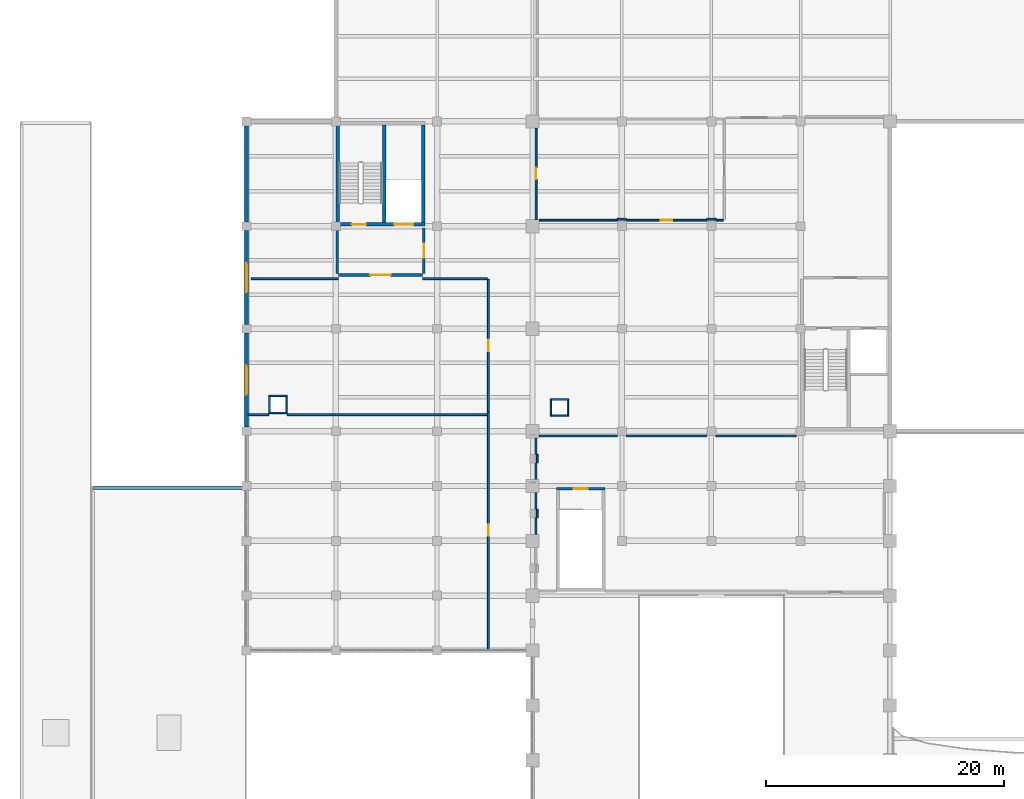
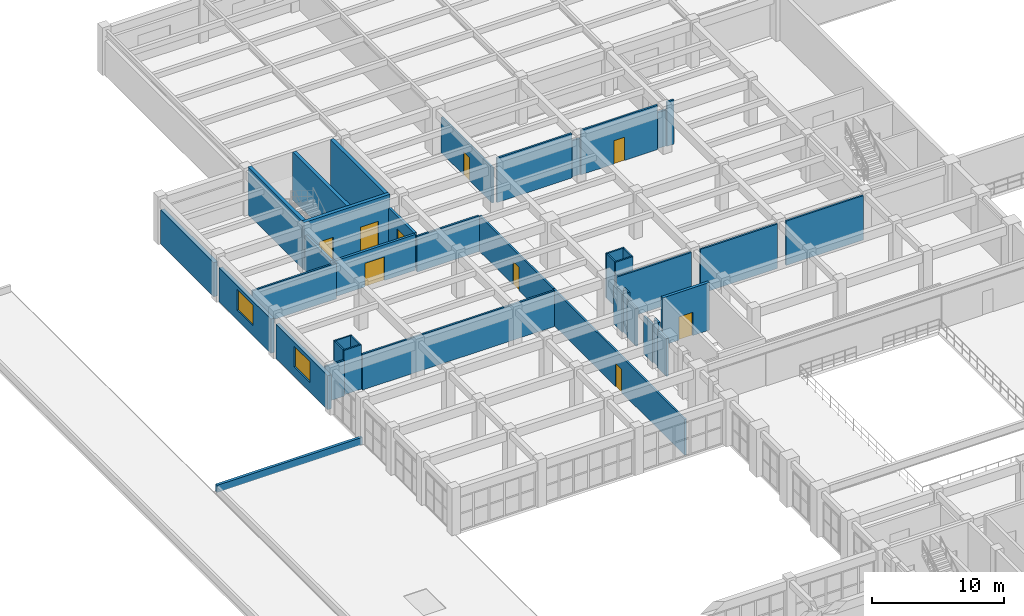
# One storey, part 72 of 90: 41 walls, 9 doors, 2 windows, 11 openings.
"""IFC4 building model written with IfcOpenShell, lengths in metres."""

from ifc_helpers import new_model, si_unit, direction, frame, frame_2d, origin, place, context, subcontext, project, spatial, rectangle, extrude, material, layer, layer_set, type_object, element, fill, save


model = new_model("IFC4")

# Units and contexts
model_context = context("Model", 3, precision=1e-05, world=origin(), true_north=direction((0.0, 1.0)))
body_context = subcontext(model_context, "Body", "Model", "MODEL_VIEW")
ifc_project = project(units=[si_unit("LENGTHUNIT", "METRE"), si_unit("AREAUNIT", "SQUARE_METRE"), si_unit("VOLUMEUNIT", "CUBIC_METRE"), si_unit("PLANEANGLEUNIT", "RADIAN"), si_unit("MASSUNIT", "GRAM", prefix="KILO")], contexts=[model_context])

# Site, building, storey
site_placement = place(None, origin())
site = spatial("IfcSite", under=ifc_project, at=site_placement, CompositionType="ELEMENT")
building_placement = place(site_placement, origin())
building = spatial("IfcBuilding", under=site, at=building_placement, Name="Muzn Square Opera House", CompositionType="ELEMENT")
storey_placement = place(building_placement, frame((0.0, 0.0, 9.800048828125)))
storey = spatial("IfcBuildingStorey", under=building, at=storey_placement, Name="L02", CompositionType="ELEMENT", Elevation=9.800048828125)

# Wall, opening, door
ifc_material_1 = material(Name="Concrete C45/55", Category="concrete")
ifc_layer_1 = layer(ifc_material_1, 0.25, Name="Concrete C45/55", Category="concrete")
ifc_layer_set_1 = layer_set([ifc_layer_1], Name="Concrete C45/55")
wall_type_1 = type_object("IfcWallType", Name="Aux Stair Enclosure Wall 250mm", PredefinedType="SHEAR", material=ifc_layer_set_1)
wall_1_placement = place(storey_placement, frame((45.0, 67.77490234375, 0.0), z_axis=(0.0, 0.0, 1.0), x_axis=(1.0, 0.0, 0.0)))
wall_1 = element("IfcWall", 1, at=wall_1_placement, inside=storey, type_object=wall_type_1, Name="Escape Stair ST-9 Wall N L02", PredefinedType="SHEAR", context=body_context, shape_type="SweptSolid", body=[
    extrude(rectangle(XDim=4.10009765625, YDim=0.25, at=frame_2d((2.050048828125, 0.0))), origin(), (0.0, 0.0, 1.0), 4.39990234375),
])
opening_1_placement = place(wall_1_placement, frame((1.449951171875, 0.0, 0.0)))
opening_1 = element("IfcOpeningElement", 2, at=opening_1_placement, cuts=wall_1, Name="Opening DR-ST12", PredefinedType="OPENING", context=body_context, shape_type="SweptSolid", body=[
    extrude(rectangle(XDim=1.199951171875, YDim=2.14990234375, at=frame_2d((0.60009765625, 1.074951171875))), frame((0.0, 0.135009765625, 0.0), z_axis=(0.0, -1.0, 0.0), x_axis=(1.0, 0.0, 0.0)), (0.0, 0.0, 1.0), 0.27001953125),
])
ifc_material_2 = material(Name="Galvanised painted steel leaf", Category="metal")
door_type_1 = type_object("IfcDoorType", Name="Core Stair Fire Door 1200x2150", OperationType="NOTDEFINED", PredefinedType="DOOR", material=ifc_material_2)
door_1_placement = place(opening_1_placement, origin())
door_1 = element("IfcDoor", 3, at=door_1_placement, inside=storey, type_object=door_type_1, Name="Escape Stair ST-9 Door L02", OperationType="SINGLE_SWING_RIGHT", OverallHeight=2.14990234375, OverallWidth=1.199951171875, PredefinedType="DOOR", context=body_context, shape_type="SweptSolid", body=[
    extrude(rectangle(XDim=1.199951171875, YDim=2.14990234375, at=frame_2d((0.60009765625, 1.074951171875))), frame((0.0, 0.02490234375, 0.0), z_axis=(0.0, -1.0, 0.0), x_axis=(1.0, 0.0, 0.0)), (0.0, 0.0, 1.0), 0.050048828125),
])
fill(opening_1, door_1)

# Walls
ifc_layer_2 = layer(ifc_material_1, 0.300048828125, Name="Concrete C45/55", Category="concrete")
ifc_layer_set_2 = layer_set([ifc_layer_2], Name="Concrete C45/55")
wall_type_2 = type_object("IfcWallType", Name="Core Shear Wall 300mm", PredefinedType="SHEAR", material=ifc_layer_set_2)
for number, where, z_axis, x_axis, name in (
    (4, (26.64990234375, 90.10009765625, 0.0), (0.0, 0.0, 1.0), (0.0, 1.0, 0.0), "Core C6 Shear Wall SW-C6-L02-W"),
    (5, (33.85009765625, 90.10009765625, 0.0), (0.0, 0.0, 1.0), (0.0, 1.0, 0.0), "Core C6 Shear Wall SW-C6-L02-E"),
    (6, (30.550048828125, 90.10009765625, 0.0), (0.0, 0.0, 1.0), (0.0, 1.0, 0.0), "Core C6 Shear Wall SW-C6-L02-DIV"),
):
    element("IfcWall", number, at=place(storey_placement, frame(where, z_axis=z_axis, x_axis=x_axis)), inside=storey, type_object=wall_type_2, Name=name, PredefinedType="SHEAR", context=body_context, shape_type="SweptSolid", body=[
        extrude(rectangle(XDim=8.199951171875, YDim=0.300048828125, at=frame_2d((4.10009765625, 0.0))), origin(), (0.0, 0.0, 1.0), 4.39990234375),
    ])

# Wall, openings, doors
wall_2_placement = place(storey_placement, frame((26.5, 89.949951171875, 0.0), z_axis=(0.0, 0.0, 1.0), x_axis=(1.0, 0.0, 0.0)))
wall_2 = element("IfcWall", 7, at=wall_2_placement, inside=storey, type_object=wall_type_2, Name="Core C6 Front Shear Wall L02", PredefinedType="SHEAR", context=body_context, shape_type="SweptSolid", body=[
    extrude(rectangle(XDim=7.5, YDim=0.300048828125, at=frame_2d((3.75, 0.0))), origin(), (0.0, 0.0, 1.0), 4.39990234375),
])
opening_2_placement = place(wall_2_placement, frame((2.550048828125, 0.0, 0.0), z_axis=(0.0, 0.0, 1.0), x_axis=(-1.0, 0.0, 0.0)))
opening_2 = element("IfcOpeningElement", 8, at=opening_2_placement, cuts=wall_2, Name="Opening DR-ST12", PredefinedType="OPENING", context=body_context, shape_type="SweptSolid", body=[
    extrude(rectangle(XDim=1.199951171875, YDim=2.14990234375, at=frame_2d((0.60009765625, 1.074951171875))), frame((0.0, 0.159912109375, 0.0), z_axis=(0.0, -1.0, 0.0), x_axis=(1.0, 0.0, 0.0)), (0.0, 0.0, 1.0), 0.320068359375),
])
opening_3_placement = place(wall_2_placement, frame((4.89990234375, 0.0, 0.0)))
opening_3 = element("IfcOpeningElement", 9, at=opening_3_placement, cuts=wall_2, Name="Opening LD-02", PredefinedType="OPENING", context=body_context, shape_type="SweptSolid", body=[
    extrude(rectangle(XDim=1.60009765625, YDim=2.25, at=frame_2d((0.800048828125, 1.125))), frame((0.0, 0.159912109375, 0.0), z_axis=(0.0, -1.0, 0.0), x_axis=(1.0, 0.0, 0.0)), (0.0, 0.0, 1.0), 0.320068359375),
])
door_2_placement = place(opening_2_placement, origin())
door_2 = element("IfcDoor", 10, at=door_2_placement, inside=storey, type_object=door_type_1, Name="Core C6 Stair Door L02", OperationType="SINGLE_SWING_RIGHT", OverallHeight=2.14990234375, OverallWidth=1.199951171875, PredefinedType="DOOR", context=body_context, shape_type="SweptSolid", body=[
    extrude(rectangle(XDim=1.199951171875, YDim=2.14990234375, at=frame_2d((0.60009765625, 1.074951171875))), frame((0.0, 0.02490234375, 0.0), z_axis=(0.0, -1.0, 0.0), x_axis=(1.0, 0.0, 0.0)), (0.0, 0.0, 1.0), 0.050048828125),
])
fill(opening_2, door_2)
ifc_material_3 = material(Name="Brushed stainless steel", Category="metal")
door_type_2 = type_object("IfcDoorType", Name="Goods Lift Sliding Door 1600x2250", OperationType="SLIDING_TO_LEFT", PredefinedType="DOOR", material=ifc_material_3)
door_3_placement = place(opening_3_placement, origin())
door_3 = element("IfcDoor", 11, at=door_3_placement, inside=storey, type_object=door_type_2, Name="Lift GL-1 Sliding Landing Door L02", OperationType="SLIDING_TO_LEFT", OverallHeight=2.25, OverallWidth=1.60009765625, PredefinedType="DOOR", context=body_context, shape_type="SweptSolid", body=[
    extrude(rectangle(XDim=1.60009765625, YDim=2.25, at=frame_2d((0.800048828125, 1.125))), frame((0.0, 0.02490234375, 0.0), z_axis=(0.0, -1.0, 0.0), x_axis=(1.0, 0.0, 0.0)), (0.0, 0.0, 1.0), 0.050048828125),
])
fill(opening_3, door_3)

# Wall, opening, window
ifc_material_4 = material(Name="Concrete C40/50", Category="concrete")
ifc_layer_3 = layer(ifc_material_4, 0.31005859375, Name="Concrete C40/50", Category="concrete")
ifc_layer_set_3 = layer_set([ifc_layer_3], Name="Concrete C40/50")
wall_type_3 = type_object("IfcWallType", Name="Exterior Gallery Facade Wall 310mm", PredefinedType="SOLIDWALL", material=ifc_layer_set_3)
wall_3_placement = place(storey_placement, frame((19.0, 72.97509765625, 0.0), z_axis=(0.0, 0.0, 1.0), x_axis=(0.0, 1.0, 0.0)))
wall_3 = element("IfcWall", 12, at=wall_3_placement, inside=storey, type_object=wall_type_3, Name="Exterior Facade Wall EW-L02-081", PredefinedType="SOLIDWALL", context=body_context, shape_type="SweptSolid", body=[
    extrude(rectangle(XDim=7.849853515625, YDim=0.31005859375, at=frame_2d((3.9248046875, 0.0))), origin(), (0.0, 0.0, 1.0), 3.14990234375),
])
opening_4_placement = place(wall_3_placement, frame((2.705078125, 0.0, 0.89990234375)))
opening_4 = element("IfcOpeningElement", 13, at=opening_4_placement, cuts=wall_3, Name="Opening WN-W2419", PredefinedType="OPENING", context=body_context, shape_type="SweptSolid", body=[
    extrude(rectangle(XDim=2.39990234375, YDim=1.89990234375, at=frame_2d((1.199951171875, 0.949951171875))), frame((0.0, 0.1650390625, 0.0), z_axis=(0.0, -1.0, 0.0), x_axis=(1.0, 0.0, 0.0)), (0.0, 0.0, 1.0), 0.330078125),
])
ifc_material_5 = material(Name="Low-E laminated acoustic double glazing", Category="glass")
window_type = type_object("IfcWindowType", Name="Costume Workshop Window 2400x1900", PartitioningType="DOUBLE_PANEL_VERTICAL", PredefinedType="WINDOW", material=ifc_material_5)
window_1_placement = place(opening_4_placement, origin())
window_1 = element("IfcWindow", 14, at=window_1_placement, inside=storey, type_object=window_type, Name="Costume Workshop Window 2400x1900 EW-L02-081-WN01", OverallHeight=1.89990234375, OverallWidth=2.39990234375, PartitioningType="SINGLE_PANEL", PredefinedType="WINDOW", context=body_context, shape_type="SweptSolid", body=[
    extrude(rectangle(XDim=2.39990234375, YDim=1.89990234375, at=frame_2d((1.199951171875, 0.949951171875))), frame((0.0, 0.030029296875, 0.0), z_axis=(0.0, -1.0, 0.0), x_axis=(1.0, 0.0, 0.0)), (0.0, 0.0, 1.0), 0.06005859375),
])
fill(opening_4, window_1)

wall_4_placement = place(storey_placement, frame((19.0, 81.574951171875, 0.0), z_axis=(0.0, 0.0, 1.0), x_axis=(0.0, 1.0, 0.0)))
wall_4 = element("IfcWall", 15, at=wall_4_placement, inside=storey, type_object=wall_type_3, Name="Exterior Facade Wall EW-L02-082", PredefinedType="SOLIDWALL", context=body_context, shape_type="SweptSolid", body=[
    extrude(rectangle(XDim=7.85009765625, YDim=0.31005859375, at=frame_2d((3.925048828125, 0.0))), origin(), (0.0, 0.0, 1.0), 3.14990234375),
])
opening_5_placement = place(wall_4_placement, frame((2.705078125, 0.0, 0.89990234375)))
opening_5 = element("IfcOpeningElement", 16, at=opening_5_placement, cuts=wall_4, Name="Opening WN-W2419", PredefinedType="OPENING", context=body_context, shape_type="SweptSolid", body=[
    extrude(rectangle(XDim=2.39990234375, YDim=1.89990234375, at=frame_2d((1.199951171875, 0.949951171875))), frame((0.0, 0.1650390625, 0.0), z_axis=(0.0, -1.0, 0.0), x_axis=(1.0, 0.0, 0.0)), (0.0, 0.0, 1.0), 0.330078125),
])
window_2_placement = place(opening_5_placement, origin())
window_2 = element("IfcWindow", 17, at=window_2_placement, inside=storey, type_object=window_type, Name="Costume Workshop Window 2400x1900 EW-L02-082-WN01", OverallHeight=1.89990234375, OverallWidth=2.39990234375, PartitioningType="SINGLE_PANEL", PredefinedType="WINDOW", context=body_context, shape_type="SweptSolid", body=[
    extrude(rectangle(XDim=2.39990234375, YDim=1.89990234375, at=frame_2d((1.199951171875, 0.949951171875))), frame((0.0, 0.030029296875, 0.0), z_axis=(0.0, -1.0, 0.0), x_axis=(1.0, 0.0, 0.0)), (0.0, 0.0, 1.0), 0.06005859375),
])
fill(opening_5, window_2)

# Wall
ifc_layer_4 = layer(ifc_material_4, 0.340087890625, Name="Concrete C40/50", Category="concrete")
ifc_layer_set_4 = layer_set([ifc_layer_4], Name="Concrete C40/50")
wall_type_4 = type_object("IfcWallType", Name="Exterior Insulated Spandrel Wall 340mm", PredefinedType="SOLIDWALL", material=ifc_layer_set_4)
wall_5_placement = place(storey_placement, frame((19.0, 90.175048828125, 0.0), z_axis=(0.0, 0.0, 1.0), x_axis=(0.0, 1.0, 0.0)))
element("IfcWall", 18, at=wall_5_placement, inside=storey, type_object=wall_type_4, Name="Exterior Facade Wall EW-L02-185", PredefinedType="SOLIDWALL", context=body_context, shape_type="SweptSolid", body=[
    extrude(rectangle(XDim=8.050048828125, YDim=0.340087890625, at=frame_2d((4.02490234375, 0.0))), origin(), (0.0, 0.0, 1.0), 3.14990234375),
])

# Wall, opening, door
ifc_layer_5 = layer(ifc_material_4, 0.219970703125, Name="Concrete C40/50", Category="concrete")
ifc_layer_set_5 = layer_set([ifc_layer_5], Name="Concrete C40/50")
wall_type_5 = type_object("IfcWallType", Name="Lift Lobby Wall 220mm", PredefinedType="SOLIDWALL", material=ifc_layer_set_5)
wall_6_placement = place(storey_placement, frame((26.719970703125, 85.7099609375, 0.0), z_axis=(0.0, 0.0, 1.0), x_axis=(1.0, 0.0, 0.0)))
wall_6 = element("IfcWall", 19, at=wall_6_placement, inside=storey, type_object=wall_type_5, Name="Lobby C6 Enclosure Wall L02", PredefinedType="SOLIDWALL", context=body_context, shape_type="SweptSolid", body=[
    extrude(rectangle(XDim=7.06005859375, YDim=0.219970703125, at=frame_2d((3.530029296875, 0.0))), origin(), (0.0, 0.0, 1.0), 3.300048828125),
])
opening_6_placement = place(wall_6_placement, frame((4.3798828125, 0.0, 0.0), z_axis=(0.0, 0.0, 1.0), x_axis=(-1.0, 0.0, 0.0)))
opening_6 = element("IfcOpeningElement", 20, at=opening_6_placement, cuts=wall_6, Name="Opening DR-LL17", PredefinedType="OPENING", context=body_context, shape_type="SweptSolid", body=[
    extrude(rectangle(XDim=1.699951171875, YDim=2.179931640625, at=frame_2d((0.85009765625, 1.08984375))), frame((0.0, 0.119873046875, 0.0), z_axis=(0.0, -1.0, 0.0), x_axis=(1.0, 0.0, 0.0)), (0.0, 0.0, 1.0), 0.239990234375),
])
ifc_material_6 = material(Name="Acoustic hardwood leaf", Category="wood")
door_type_3 = type_object("IfcDoorType", Name="Lift Lobby Double Door 1700x2180", OperationType="DOUBLE_DOOR_SINGLE_SWING", PredefinedType="DOOR", material=ifc_material_6)
door_4_placement = place(opening_6_placement, origin())
door_4 = element("IfcDoor", 21, at=door_4_placement, inside=storey, type_object=door_type_3, Name="Lobby C6 Fire Door L02", OperationType="DOUBLE_DOOR_SINGLE_SWING", OverallHeight=2.179931640625, OverallWidth=1.699951171875, PredefinedType="DOOR", context=body_context, shape_type="SweptSolid", body=[
    extrude(rectangle(XDim=1.699951171875, YDim=2.179931640625, at=frame_2d((0.85009765625, 1.08984375))), frame((0.0, 0.02490234375, 0.0), z_axis=(0.0, -1.0, 0.0), x_axis=(1.0, 0.0, 0.0)), (0.0, 0.0, 1.0), 0.050048828125),
])
fill(opening_6, door_4)

# Wall
wall_7_placement = place(storey_placement, frame((26.610107421875, 85.820068359375, 0.0), z_axis=(0.0, 0.0, 1.0), x_axis=(0.0, 1.0, 0.0)))
element("IfcWall", 22, at=wall_7_placement, inside=storey, type_object=wall_type_5, Name="Lobby C6 Side Wall W L02", PredefinedType="SOLIDWALL", context=body_context, shape_type="SweptSolid", body=[
    extrude(rectangle(XDim=3.829833984375, YDim=0.219970703125, at=frame_2d((1.9150390625, 0.0))), origin(), (0.0, 0.0, 1.0), 3.300048828125),
])

# Wall, opening, door
wall_8_placement = place(storey_placement, frame((33.889892578125, 85.820068359375, 0.0), z_axis=(0.0, 0.0, 1.0), x_axis=(0.0, 1.0, 0.0)))
wall_8 = element("IfcWall", 23, at=wall_8_placement, inside=storey, type_object=wall_type_5, Name="Lobby C6 Side Wall E L02", PredefinedType="SOLIDWALL", context=body_context, shape_type="SweptSolid", body=[
    extrude(rectangle(XDim=3.829833984375, YDim=0.219970703125, at=frame_2d((1.9150390625, 0.0))), origin(), (0.0, 0.0, 1.0), 3.300048828125),
])
opening_7_placement = place(wall_8_placement, frame((2.514892578125, 0.0, 0.0), z_axis=(0.0, 0.0, 1.0), x_axis=(-1.0, 0.0, 0.0)))
opening_7 = element("IfcOpeningElement", 24, at=opening_7_placement, cuts=wall_8, Name="Opening DR-ST12", PredefinedType="OPENING", context=body_context, shape_type="SweptSolid", body=[
    extrude(rectangle(XDim=1.199951171875, YDim=2.14990234375, at=frame_2d((0.60009765625, 1.074951171875))), frame((0.0, 0.119873046875, 0.0), z_axis=(0.0, -1.0, 0.0), x_axis=(1.0, 0.0, 0.0)), (0.0, 0.0, 1.0), 0.239990234375),
])
door_5_placement = place(opening_7_placement, origin())
door_5 = element("IfcDoor", 25, at=door_5_placement, inside=storey, type_object=door_type_1, Name="Lobby C6 Side Door E L02", OperationType="SINGLE_SWING_LEFT", OverallHeight=2.14990234375, OverallWidth=1.199951171875, PredefinedType="DOOR", context=body_context, shape_type="SweptSolid", body=[
    extrude(rectangle(XDim=1.199951171875, YDim=2.14990234375, at=frame_2d((0.60009765625, 1.074951171875))), frame((0.0, 0.02490234375, 0.0), z_axis=(0.0, -1.0, 0.0), x_axis=(1.0, 0.0, 0.0)), (0.0, 0.0, 1.0), 0.050048828125),
])
fill(opening_7, door_5)

# Walls
ifc_material_7 = material(Name="Acoustic gypsum stud partition", Category="gypsum")
ifc_layer_6 = layer(ifc_material_7, 0.14990234375, Name="Acoustic gypsum stud partition", Category="gypsum")
ifc_layer_set_6 = layer_set([ifc_layer_6], Name="Acoustic gypsum stud partition")
wall_type_6 = type_object("IfcWallType", Name="Office Acoustic Partition 150mm", PredefinedType="PARTITIONING", material=ifc_layer_set_6)
for number, where, z_axis, x_axis, name in (
    (26, (43.300048828125, 66.070068359375, 0.0), (0.0, 0.0, 1.0), (0.0, 1.0, 0.0), "Interior Partition PW-L02-0250"),
    (27, (43.300048828125, 68.570068359375, 0.0), (0.0, 0.0, 1.0), (0.0, 1.0, 0.0), "Interior Partition PW-L02-0251"),
):
    element("IfcWall", number, at=place(storey_placement, frame(where, z_axis=z_axis, x_axis=x_axis)), inside=storey, type_object=wall_type_6, Name=name, PredefinedType="PARTITIONING", context=body_context, shape_type="SweptSolid", body=[
        extrude(rectangle(XDim=1.35986328125, YDim=0.14990234375, at=frame_2d((0.679931640625, 0.0))), origin(), (0.0, 0.0, 1.0), 3.5),
    ])
for number, where, z_axis, x_axis, name in (
    (28, (43.300048828125, 63.969970703125, 0.0), (0.0, 0.0, 1.0), (0.0, 1.0, 0.0), "Interior Partition PW-L02-0254"),
    (29, (43.300048828125, 70.669921875, 0.0), (0.0, 0.0, 1.0), (0.0, 1.0, 0.0), "Interior Partition PW-L02-0255"),
):
    element("IfcWall", number, at=place(storey_placement, frame(where, z_axis=z_axis, x_axis=x_axis)), inside=storey, type_object=wall_type_6, Name=name, PredefinedType="PARTITIONING", context=body_context, shape_type="SweptSolid", body=[
        extrude(rectangle(XDim=1.360107421875, YDim=0.14990234375, at=frame_2d((0.68017578125, 0.0))), origin(), (0.0, 0.0, 1.0), 3.5),
    ])
wall_9_placement = place(storey_placement, frame((43.570068359375, 72.199951171875, 0.0), z_axis=(0.0, 0.0, 1.0), x_axis=(1.0, 0.0, 0.0)))
element("IfcWall", 30, at=wall_9_placement, inside=storey, type_object=wall_type_6, Name="Room Enclosure Partition PW-L02-0298", PredefinedType="PARTITIONING", context=body_context, shape_type="SweptSolid", body=[
    extrude(rectangle(XDim=6.550048828125, YDim=0.14990234375, at=frame_2d((3.27490234375, 0.0))), origin(), (0.0, 0.0, 1.0), 4.099853515625),
])
for number, where, z_axis, x_axis, name in (
    (31, (50.8798828125, 72.199951171875, 0.0), (0.0, 0.0, 1.0), (1.0, 0.0, 0.0), "Room Enclosure Partition PW-L02-0299"),
    (32, (58.3798828125, 72.199951171875, 0.0), (0.0, 0.0, 1.0), (1.0, 0.0, 0.0), "Room Enclosure Partition PW-L02-0300"),
):
    element("IfcWall", number, at=place(storey_placement, frame(where, z_axis=z_axis, x_axis=x_axis)), inside=storey, type_object=wall_type_6, Name=name, PredefinedType="PARTITIONING", context=body_context, shape_type="SweptSolid", body=[
        extrude(rectangle(XDim=6.740234375, YDim=0.14990234375, at=frame_2d((3.3701171875, 0.0))), origin(), (0.0, 0.0, 1.0), 4.099853515625),
    ])
for number, where, z_axis, x_axis, name in (
    (33, (43.39990234375, 65.35009765625, 0.0), (0.0, 0.0, 1.0), (0.0, 1.0, 0.0), "Room Enclosure Partition PW-L02-0302"),
    (34, (43.39990234375, 69.949951171875, 0.0), (0.0, 0.0, 1.0), (0.0, 1.0, 0.0), "Room Enclosure Partition PW-L02-0303"),
):
    element("IfcWall", number, at=place(storey_placement, frame(where, z_axis=z_axis, x_axis=x_axis)), inside=storey, type_object=wall_type_6, Name=name, PredefinedType="PARTITIONING", context=body_context, shape_type="SweptSolid", body=[
        extrude(rectangle(XDim=0.699951171875, YDim=0.14990234375, at=frame_2d((0.35009765625, 0.0))), origin(), (0.0, 0.0, 1.0), 4.099853515625),
    ])
ifc_material_8 = material(Name="Precast concrete C40/50", Category="concrete")
ifc_layer_7 = layer(ifc_material_8, 0.239990234375, Name="Precast concrete C40/50", Category="concrete")
ifc_layer_set_7 = layer_set([ifc_layer_7], Name="Precast concrete C40/50")
wall_type_7 = type_object("IfcWallType", Name="Roof Parapet Wall 240mm", PredefinedType="PARAPET", material=ifc_layer_set_7)
wall_10_placement = place(storey_placement, frame((6.14990234375, 67.85009765625, 0.0), z_axis=(0.0, 0.0, 1.0), x_axis=(1.0, 0.0, 0.0)))
element("IfcWall", 35, at=wall_10_placement, inside=storey, type_object=wall_type_7, Name="Roof Parapet ROOF-L02-WOUTER-N", PredefinedType="PARAPET", context=body_context, shape_type="SweptSolid", body=[
    extrude(rectangle(XDim=12.7001953125, YDim=0.239990234375, at=frame_2d((6.35009765625, 0.0))), origin(), (0.0, 0.0, 1.0), 0.64990234375),
])
ifc_layer_8 = layer(ifc_material_7, 0.1298828125, Name="Acoustic gypsum stud partition", Category="gypsum")
ifc_layer_set_8 = layer_set([ifc_layer_8], Name="Acoustic gypsum stud partition")
wall_type_8 = type_object("IfcWallType", Name="Service Closet Partition 130mm", PredefinedType="PARTITIONING", material=ifc_layer_set_8)
for number, where, z_axis, x_axis, name in (
    (36, (44.469970703125, 73.93505859375, 0.0), (0.0, 0.0, 1.0), (1.0, 0.0, 0.0), "MEP Riser Shaft Wall RSR-SW L02-S"),
    (37, (44.469970703125, 75.264892578125, 0.0), (0.0, 0.0, 1.0), (1.0, 0.0, 0.0), "MEP Riser Shaft Wall RSR-SW L02-N"),
):
    element("IfcWall", number, at=place(storey_placement, frame(where, z_axis=z_axis, x_axis=x_axis)), inside=storey, type_object=wall_type_8, Name=name, PredefinedType="PARTITIONING", context=body_context, shape_type="SweptSolid", body=[
        extrude(rectangle(XDim=1.56005859375, YDim=0.1298828125, at=frame_2d((0.780029296875, 0.0))), origin(), (0.0, 0.0, 1.0), 4.099853515625),
    ])
for number, where, z_axis, x_axis, name in (
    (38, (44.534912109375, 74.0, 0.0), (0.0, 0.0, 1.0), (0.0, 1.0, 0.0), "MEP Riser Shaft Wall RSR-SW L02-W"),
    (39, (45.965087890625, 74.0, 0.0), (0.0, 0.0, 1.0), (0.0, 1.0, 0.0), "MEP Riser Shaft Wall RSR-SW L02-E"),
):
    element("IfcWall", number, at=place(storey_placement, frame(where, z_axis=z_axis, x_axis=x_axis)), inside=storey, type_object=wall_type_8, Name=name, PredefinedType="PARTITIONING", context=body_context, shape_type="SweptSolid", body=[
        extrude(rectangle(XDim=1.199951171875, YDim=0.1298828125, at=frame_2d((0.60009765625, 0.0))), origin(), (0.0, 0.0, 1.0), 4.099853515625),
    ])
wall_11_placement = place(storey_placement, frame((20.8701171875, 75.56494140625, 0.0), z_axis=(0.0, 0.0, 1.0), x_axis=(1.0, 0.0, 0.0)))
element("IfcWall", 40, at=wall_11_placement, inside=storey, type_object=wall_type_8, Name="MEP Riser Shaft Wall RSR-WC L02-N", PredefinedType="PARTITIONING", context=body_context, shape_type="SweptSolid", body=[
    extrude(rectangle(XDim=1.559814453125, YDim=0.1298828125, at=frame_2d((0.77978515625, 0.0))), origin(), (0.0, 0.0, 1.0), 4.099853515625),
])
for number, where, z_axis, x_axis, name in (
    (41, (20.93505859375, 74.199951171875, 0.0), (0.0, 0.0, 1.0), (0.0, 1.0, 0.0), "MEP Riser Shaft Wall RSR-WC L02-W"),
    (42, (22.364990234375, 74.199951171875, 0.0), (0.0, 0.0, 1.0), (0.0, 1.0, 0.0), "MEP Riser Shaft Wall RSR-WC L02-E"),
):
    element("IfcWall", number, at=place(storey_placement, frame(where, z_axis=z_axis, x_axis=x_axis)), inside=storey, type_object=wall_type_8, Name=name, PredefinedType="PARTITIONING", context=body_context, shape_type="SweptSolid", body=[
        extrude(rectangle(XDim=1.300048828125, YDim=0.1298828125, at=frame_2d((0.64990234375, 0.0))), origin(), (0.0, 0.0, 1.0), 4.099853515625),
    ])
wall_12_placement = place(storey_placement, frame((20.889892578125, 74.135009765625, 0.0), z_axis=(0.0, 0.0, 1.0), x_axis=(1.0, 0.0, 0.0)))
element("IfcWall", 43, at=wall_12_placement, inside=storey, type_object=wall_type_8, Name="MEP Riser Shaft Wall RSR-WC L02-S", PredefinedType="PARTITIONING", context=body_context, shape_type="SweptSolid", body=[
    extrude(rectangle(XDim=1.52001953125, YDim=0.1298828125, at=frame_2d((0.760009765625, 0.0))), origin(), (0.0, 0.0, 1.0), 4.099853515625),
])

# Wall, opening, door
ifc_layer_9 = layer(ifc_material_7, 0.159912109375, Name="Acoustic gypsum stud partition", Category="gypsum")
ifc_layer_set_9 = layer_set([ifc_layer_9], Name="Acoustic gypsum stud partition")
wall_type_9 = type_object("IfcWallType", Name="Workshop Rated Partition 160mm", PredefinedType="PARTITIONING", material=ifc_layer_set_9)
wall_13_placement = place(storey_placement, frame((39.300048828125, 54.284912109375, 0.0), z_axis=(0.0, 0.0, 1.0), x_axis=(0.0, 1.0, 0.0)))
wall_13 = element("IfcWall", 44, at=wall_13_placement, inside=storey, type_object=wall_type_9, Name="Interior Partition PW-L02-0271", PredefinedType="PARTITIONING", context=body_context, shape_type="SweptSolid", body=[
    extrude(rectangle(XDim=19.91015625, YDim=0.159912109375, at=frame_2d((9.955078125, 0.0))), origin(), (0.0, 0.0, 1.0), 3.300048828125),
])
opening_8_placement = place(wall_13_placement, frame((9.5400390625, 0.0, 0.0)))
opening_8 = element("IfcOpeningElement", 45, at=opening_8_placement, cuts=wall_13, Name="Opening DR-OF95", PredefinedType="OPENING", context=body_context, shape_type="SweptSolid", body=[
    extrude(rectangle(XDim=0.949951171875, YDim=2.14990234375, at=frame_2d((0.47509765625, 1.074951171875))), frame((0.0, 0.08984375, 0.0), z_axis=(0.0, -1.0, 0.0), x_axis=(1.0, 0.0, 0.0)), (0.0, 0.0, 1.0), 0.179931640625),
])
door_type_4 = type_object("IfcDoorType", Name="Office Room Door 950x2150", OperationType="NOTDEFINED", PredefinedType="DOOR", material=ifc_material_6)
door_6_placement = place(opening_8_placement, origin())
door_6 = element("IfcDoor", 46, at=door_6_placement, inside=storey, type_object=door_type_4, Name="Costume Tailoring Workshop Door DR-L02-0083", OperationType="SINGLE_SWING_RIGHT", OverallHeight=2.14990234375, OverallWidth=0.949951171875, PredefinedType="DOOR", context=body_context, shape_type="SweptSolid", body=[
    extrude(rectangle(XDim=0.949951171875, YDim=2.14990234375, at=frame_2d((0.47509765625, 1.074951171875))), frame((0.0, 0.02490234375, 0.0), z_axis=(0.0, -1.0, 0.0), x_axis=(1.0, 0.0, 0.0)), (0.0, 0.0, 1.0), 0.050048828125),
])
fill(opening_8, door_6)

wall_14_placement = place(storey_placement, frame((39.300048828125, 74.199951171875, 0.0), z_axis=(0.0, 0.0, 1.0), x_axis=(0.0, 1.0, 0.0)))
wall_14 = element("IfcWall", 47, at=wall_14_placement, inside=storey, type_object=wall_type_9, Name="Interior Partition PW-L02-0272", PredefinedType="PARTITIONING", context=body_context, shape_type="SweptSolid", body=[
    extrude(rectangle(XDim=11.135009765625, YDim=0.159912109375, at=frame_2d((5.5673828125, 0.0))), origin(), (0.0, 0.0, 1.0), 3.300048828125),
])
opening_9_placement = place(wall_14_placement, frame((5.125, 0.0, 0.0)))
opening_9 = element("IfcOpeningElement", 48, at=opening_9_placement, cuts=wall_14, Name="Opening DR-OF95", PredefinedType="OPENING", context=body_context, shape_type="SweptSolid", body=[
    extrude(rectangle(XDim=0.949951171875, YDim=2.14990234375, at=frame_2d((0.47509765625, 1.074951171875))), frame((0.0, 0.08984375, 0.0), z_axis=(0.0, -1.0, 0.0), x_axis=(1.0, 0.0, 0.0)), (0.0, 0.0, 1.0), 0.179931640625),
])
door_7_placement = place(opening_9_placement, origin())
door_7 = element("IfcDoor", 49, at=door_7_placement, inside=storey, type_object=door_type_4, Name="Wig and Millinery Workshop Door DR-L02-0084", OperationType="SINGLE_SWING_LEFT", OverallHeight=2.14990234375, OverallWidth=0.949951171875, PredefinedType="DOOR", context=body_context, shape_type="SweptSolid", body=[
    extrude(rectangle(XDim=0.949951171875, YDim=2.14990234375, at=frame_2d((0.47509765625, 1.074951171875))), frame((0.0, 0.02490234375, 0.0), z_axis=(0.0, -1.0, 0.0), x_axis=(1.0, 0.0, 0.0)), (0.0, 0.0, 1.0), 0.050048828125),
])
fill(opening_9, door_7)

wall_15_placement = place(storey_placement, frame((43.300048828125, 90.35498046875, 0.0), z_axis=(0.0, 0.0, 1.0), x_axis=(0.0, 1.0, 0.0)))
wall_15 = element("IfcWall", 50, at=wall_15_placement, inside=storey, type_object=wall_type_9, Name="Interior Partition PW-L02-0280", PredefinedType="PARTITIONING", context=body_context, shape_type="SweptSolid", body=[
    extrude(rectangle(XDim=7.675048828125, YDim=0.159912109375, at=frame_2d((3.83740234375, 0.0))), origin(), (0.0, 0.0, 1.0), 3.300048828125),
])
opening_10_placement = place(wall_15_placement, frame((3.385009765625, 0.0, 0.0)))
opening_10 = element("IfcOpeningElement", 51, at=opening_10_placement, cuts=wall_15, Name="Opening DR-OF95", PredefinedType="OPENING", context=body_context, shape_type="SweptSolid", body=[
    extrude(rectangle(XDim=0.949951171875, YDim=2.14990234375, at=frame_2d((0.47509765625, 1.074951171875))), frame((0.0, 0.08984375, 0.0), z_axis=(0.0, -1.0, 0.0), x_axis=(1.0, 0.0, 0.0)), (0.0, 0.0, 1.0), 0.179931640625),
])
door_8_placement = place(opening_10_placement, origin())
door_8 = element("IfcDoor", 52, at=door_8_placement, inside=storey, type_object=door_type_4, Name="Rigging Cordage Store Door DR-L02-0089", OperationType="SINGLE_SWING_RIGHT", OverallHeight=2.14990234375, OverallWidth=0.949951171875, PredefinedType="DOOR", context=body_context, shape_type="SweptSolid", body=[
    extrude(rectangle(XDim=0.949951171875, YDim=2.14990234375, at=frame_2d((0.47509765625, 1.074951171875))), frame((0.0, 0.02490234375, 0.0), z_axis=(0.0, -1.0, 0.0), x_axis=(1.0, 0.0, 0.0)), (0.0, 0.0, 1.0), 0.050048828125),
])
fill(opening_10, door_8)

wall_16_placement = place(storey_placement, frame((50.89501953125, 90.300048828125, 0.0), z_axis=(0.0, 0.0, 1.0), x_axis=(1.0, 0.0, 0.0)))
wall_16 = element("IfcWall", 53, at=wall_16_placement, inside=storey, type_object=wall_type_9, Name="Interior Partition PW-L02-0281", PredefinedType="PARTITIONING", context=body_context, shape_type="SweptSolid", body=[
    extrude(rectangle(XDim=6.7099609375, YDim=0.159912109375, at=frame_2d((3.35498046875, 0.0))), origin(), (0.0, 0.0, 1.0), 4.099853515625),
])
opening_11_placement = place(wall_16_placement, frame((2.8798828125, 0.0, 0.0)))
opening_11 = element("IfcOpeningElement", 54, at=opening_11_placement, cuts=wall_16, Name="Opening DR-OF95", PredefinedType="OPENING", context=body_context, shape_type="SweptSolid", body=[
    extrude(rectangle(XDim=0.949951171875, YDim=2.14990234375, at=frame_2d((0.47509765625, 1.074951171875))), frame((0.0, 0.08984375, 0.0), z_axis=(0.0, -1.0, 0.0), x_axis=(1.0, 0.0, 0.0)), (0.0, 0.0, 1.0), 0.179931640625),
])
door_9_placement = place(opening_11_placement, origin())
door_9 = element("IfcDoor", 55, at=door_9_placement, inside=storey, type_object=door_type_4, Name="Rigging Cordage Store Door DR-L02-0090", OperationType="SINGLE_SWING_LEFT", OverallHeight=2.14990234375, OverallWidth=0.949951171875, PredefinedType="DOOR", context=body_context, shape_type="SweptSolid", body=[
    extrude(rectangle(XDim=0.949951171875, YDim=2.14990234375, at=frame_2d((0.47509765625, 1.074951171875))), frame((0.0, 0.02490234375, 0.0), z_axis=(0.0, -1.0, 0.0), x_axis=(1.0, 0.0, 0.0)), (0.0, 0.0, 1.0), 0.050048828125),
])
fill(opening_11, door_9)

# Walls
wall_17_placement = place(storey_placement, frame((43.570068359375, 90.300048828125, 0.0), z_axis=(0.0, 0.0, 1.0), x_axis=(1.0, 0.0, 0.0)))
element("IfcWall", 56, at=wall_17_placement, inside=storey, type_object=wall_type_9, Name="Interior Partition PW-L02-0282", PredefinedType="PARTITIONING", context=body_context, shape_type="SweptSolid", body=[
    extrude(rectangle(XDim=6.534912109375, YDim=0.159912109375, at=frame_2d((3.267578125, 0.0))), origin(), (0.0, 0.0, 1.0), 4.099853515625),
])
wall_18_placement = place(storey_placement, frame((19.159912109375, 74.0, 0.0), z_axis=(0.0, 0.0, 1.0), x_axis=(1.0, 0.0, 0.0)))
element("IfcWall", 57, at=wall_18_placement, inside=storey, type_object=wall_type_9, Name="Room Enclosure Partition PW-L02-0324", PredefinedType="PARTITIONING", context=body_context, shape_type="SweptSolid", body=[
    extrude(rectangle(XDim=1.710205078125, YDim=0.159912109375, at=frame_2d((0.85498046875, 0.0))), origin(), (0.0, 0.0, 1.0), 3.300048828125),
])
wall_19_placement = place(storey_placement, frame((22.429931640625, 74.0, 0.0), z_axis=(0.0, 0.0, 1.0), x_axis=(1.0, 0.0, 0.0)))
element("IfcWall", 58, at=wall_19_placement, inside=storey, type_object=wall_type_9, Name="Room Enclosure Partition PW-L02-0325", PredefinedType="PARTITIONING", context=body_context, shape_type="SweptSolid", body=[
    extrude(rectangle(XDim=16.77001953125, YDim=0.159912109375, at=frame_2d((8.385009765625, 0.0))), origin(), (0.0, 0.0, 1.0), 3.300048828125),
])
wall_20_placement = place(storey_placement, frame((19.39990234375, 85.39990234375, 0.0), z_axis=(0.0, 0.0, 1.0), x_axis=(1.0, 0.0, 0.0)))
element("IfcWall", 59, at=wall_20_placement, inside=storey, type_object=wall_type_9, Name="Room Enclosure Partition PW-L02-0326", PredefinedType="PARTITIONING", context=body_context, shape_type="SweptSolid", body=[
    extrude(rectangle(XDim=7.320068359375, YDim=0.159912109375, at=frame_2d((3.66015625, 0.0))), origin(), (0.0, 0.0, 1.0), 3.300048828125),
])
wall_21_placement = place(storey_placement, frame((33.780029296875, 85.39990234375, 0.0), z_axis=(0.0, 0.0, 1.0), x_axis=(1.0, 0.0, 0.0)))
element("IfcWall", 60, at=wall_21_placement, inside=storey, type_object=wall_type_9, Name="Room Enclosure Partition PW-L02-0327", PredefinedType="PARTITIONING", context=body_context, shape_type="SweptSolid", body=[
    extrude(rectangle(XDim=5.419921875, YDim=0.159912109375, at=frame_2d((2.7099609375, 0.0))), origin(), (0.0, 0.0, 1.0), 3.300048828125),
])
wall_22_placement = place(storey_placement, frame((50.125, 90.39990234375, 0.0), z_axis=(0.0, 0.0, 1.0), x_axis=(1.0, 0.0, 0.0)))
element("IfcWall", 61, at=wall_22_placement, inside=storey, type_object=wall_type_9, Name="Room Enclosure Partition PW-L02-0332", PredefinedType="PARTITIONING", context=body_context, shape_type="SweptSolid", body=[
    extrude(rectangle(XDim=0.75, YDim=0.159912109375, at=frame_2d((0.375, 0.0))), origin(), (0.0, 0.0, 1.0), 3.329833984375),
])
wall_23_placement = place(storey_placement, frame((57.625, 90.39990234375, 0.0), z_axis=(0.0, 0.0, 1.0), x_axis=(1.0, 0.0, 0.0)))
element("IfcWall", 62, at=wall_23_placement, inside=storey, type_object=wall_type_9, Name="Room Enclosure Partition PW-L02-0333", PredefinedType="PARTITIONING", context=body_context, shape_type="SweptSolid", body=[
    extrude(rectangle(XDim=0.77001953125, YDim=0.159912109375, at=frame_2d((0.385009765625, 0.0))), origin(), (0.0, 0.0, 1.0), 3.329833984375),
])
wall_24_placement = place(storey_placement, frame((58.4150390625, 90.300048828125, 0.0), z_axis=(0.0, 0.0, 1.0), x_axis=(1.0, 0.0, 0.0)))
element("IfcWall", 63, at=wall_24_placement, inside=storey, type_object=wall_type_9, Name="Interior Partition PW-L02-0283", PredefinedType="PARTITIONING", context=body_context, shape_type="SweptSolid", body=[
    extrude(rectangle(XDim=0.599853515625, YDim=0.159912109375, at=frame_2d((0.2998046875, 0.0))), origin(), (0.0, 0.0, 1.0), 4.099853515625),
])

save(model, "model.ifc")
